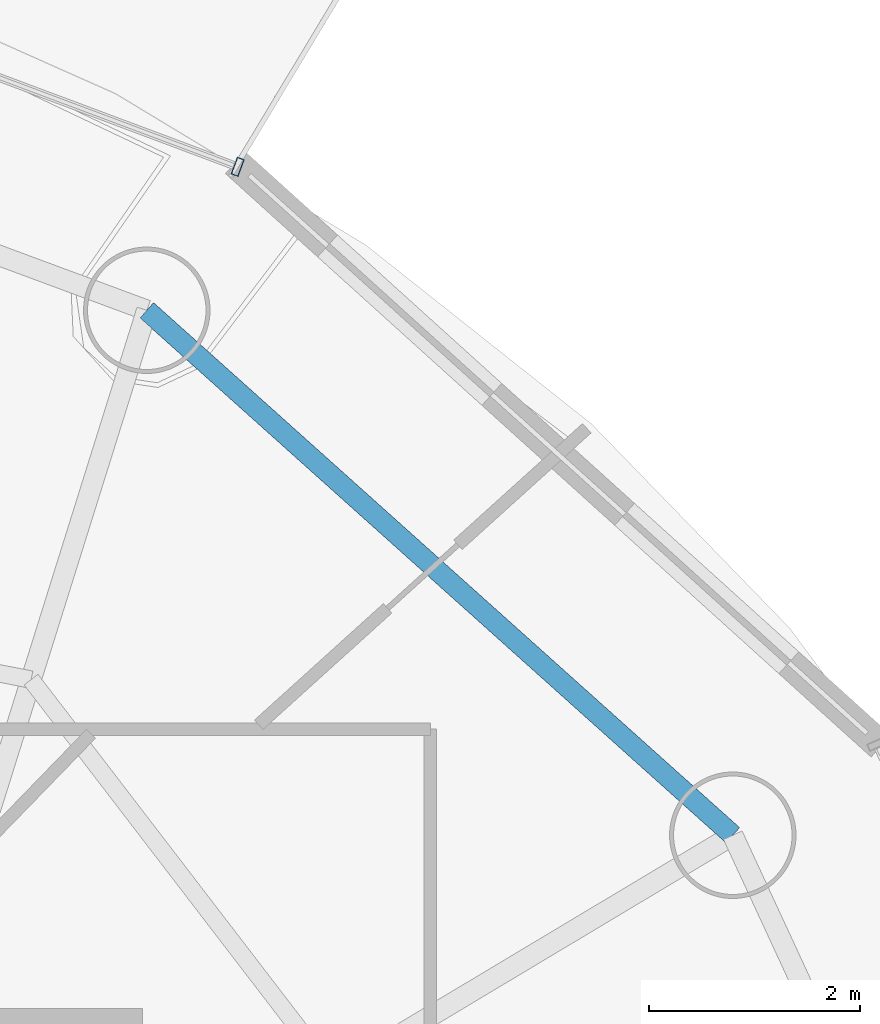
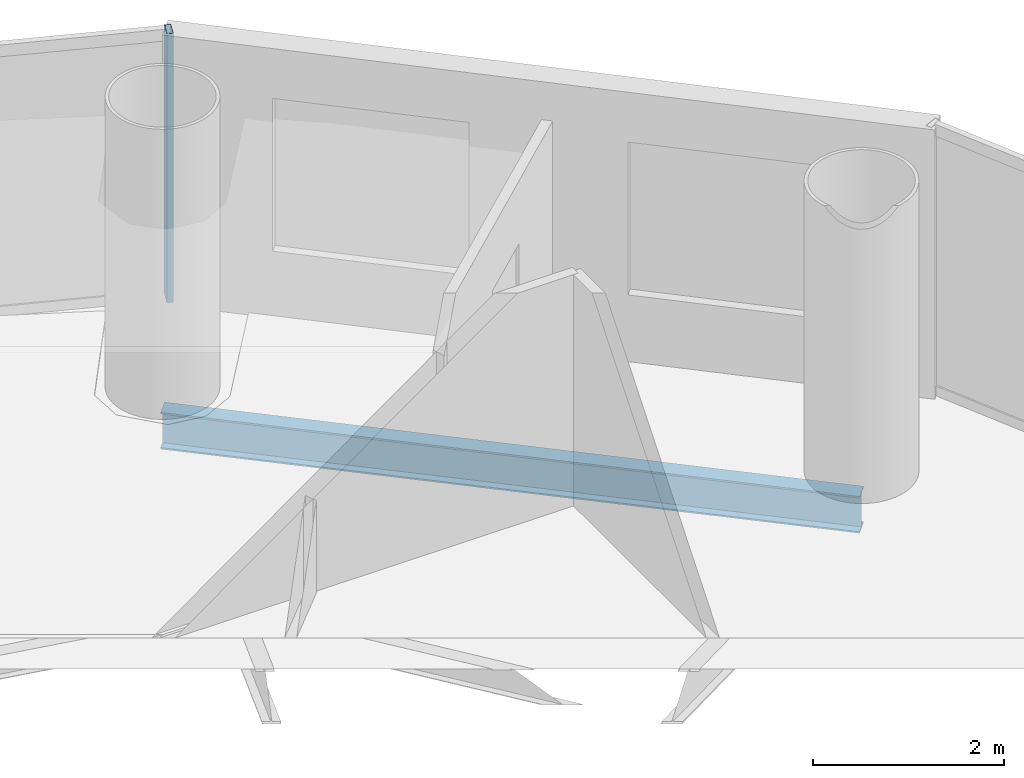
# One storey, part 18 of 26: 1 beam, 1 member, 1 element without a shape of its own.
"""IFC4 building model written with IfcOpenShell, lengths in metres."""

import ifcopenshell
import ifcopenshell.guid

model = None  # the IFC model being written
_history = None  # IfcOwnerHistory: only IFC2X3 demands one
_inside = {}  # id of a spatial element -> (the spatial element, [elements in it])
_under = {}  # id of a project, library or spatial element -> (it, [spatial elements below it])
_declared = {}  # id of a project -> (the project, [libraries it declares])
_typed = {}  # id of a type object -> (the type object, [elements of that type])
_made_of = {}  # id of a material, layer set ... -> (it, [elements and type objects made of it])


def new_model(schema):
    """Start an empty IFC model of exactly this schema.

    Asked for "IFC4X3", IfcOpenShell would pick the latest addendum, in which some entities
    have other attributes; the version numbers below select the first issue.
    IFC2X3 requires an IfcOwnerHistory on every rooted entity: one is made here for all.
    """
    global model, _history
    if schema == "IFC4X3":
        model = ifcopenshell.file(schema_version=(4, 3, 0, 0))
    else:
        model = ifcopenshell.file(schema=schema)
    _inside.clear()
    _under.clear()
    _declared.clear()
    _typed.clear()
    _made_of.clear()
    _history = None
    if model.schema == "IFC2X3":
        org = make("IfcOrganization", Name="unknown")
        user = make(
            "IfcPersonAndOrganization",
            ThePerson=make("IfcPerson", FamilyName="unknown"),
            TheOrganization=org,
        )
        app = make(
            "IfcApplication",
            ApplicationDeveloper=org,
            Version="unknown",
            ApplicationFullName="unknown",
            ApplicationIdentifier="unknown",
        )
        _history = make(
            "IfcOwnerHistory",
            OwningUser=user,
            OwningApplication=app,
            ChangeAction="ADDED",
            CreationDate=0,
        )
    return model


def make(cls, **values):
    """One entity of the class cls with the attributes given. An attribute that is None is left unset."""
    return model.create_entity(
        cls, **{name: value for name, value in values.items() if value is not None}
    )


def rooted(cls, **values):
    """An entity with a GlobalId (a new one), such as an element, a storey or a relation."""
    return make(cls, GlobalId=ifcopenshell.guid.new(), OwnerHistory=_history, **values)


def si_unit(unit_type, name, prefix=None):
    """IfcSIUnit, for example si_unit("LENGTHUNIT", "METRE", prefix="MILLI")."""
    return make("IfcSIUnit", UnitType=unit_type, Prefix=prefix, Name=name)


def assignment(units):
    """IfcUnitAssignment: the units of a project."""
    return None if units is None else make("IfcUnitAssignment", Units=units)


def point(xyz):
    """IfcCartesianPoint."""
    return None if xyz is None else make("IfcCartesianPoint", Coordinates=xyz)


def direction(xyz):
    """IfcDirection."""
    return None if xyz is None else make("IfcDirection", DirectionRatios=xyz)


def frame(location, z_axis=None, x_axis=None):
    """IfcAxis2Placement3D, a coordinate frame: its origin and axes. An axis left out is left unset."""
    return make(
        "IfcAxis2Placement3D",
        Location=point(location),
        Axis=direction(z_axis),
        RefDirection=direction(x_axis),
    )


def frame_2d(location, x_axis=None):
    """IfcAxis2Placement2D, a coordinate frame in the plane: its origin and x axis."""
    return make(
        "IfcAxis2Placement2D", Location=point(location), RefDirection=direction(x_axis)
    )


def origin():
    """The frame at (0, 0, 0) with its axes left unset."""
    return frame((0.0, 0.0, 0.0))


def origin_2d():
    """The frame at (0, 0) in the plane with its x axis left unset."""
    return frame_2d((0.0, 0.0))


def place(relative_to, where):
    """IfcLocalPlacement: puts the frame where relative to a parent placement (None: the world)."""
    return make(
        "IfcLocalPlacement", PlacementRelTo=relative_to, RelativePlacement=where
    )


def context(
    kind, dimensions, precision=None, world=None, true_north=None, identifier=None
):
    """IfcGeometricRepresentationContext, for example the 3D "Model" context."""
    return make(
        "IfcGeometricRepresentationContext",
        ContextIdentifier=identifier,
        ContextType=kind,
        CoordinateSpaceDimension=dimensions,
        Precision=precision,
        WorldCoordinateSystem=world,
        TrueNorth=true_north,
    )


def subcontext(parent, identifier, kind, view, scale=None):
    """IfcGeometricRepresentationSubContext, for example "Body" below "Model"."""
    return make(
        "IfcGeometricRepresentationSubContext",
        ContextIdentifier=identifier,
        ContextType=kind,
        ParentContext=parent,
        TargetScale=scale,
        TargetView=view,
    )


def project(units=None, contexts=None):
    """IfcProject with its units and contexts."""
    return rooted(
        "IfcProject",
        Name="project",
        RepresentationContexts=contexts,
        UnitsInContext=assignment(units),
    )


def spatial(cls, under=None, at=None, **own):
    """A site, building, storey or space (cls), placed at a placement, below another one or the project."""
    s = rooted(cls, ObjectPlacement=at, **own)
    if under is not None:
        _under.setdefault(under.id(), (under, []))[1].append(s)
    return s


def profile(cls, at=None, kind="AREA", **sizes):
    """A parametric profile (cls). Its sizes go by their IFC names, for example OverallWidth=200.0."""
    return make(cls, ProfileType=kind, Position=at, **sizes)


def hollow_rectangle(**sizes):
    """IfcRectangleHollowProfileDef."""
    return profile("IfcRectangleHollowProfileDef", **sizes)


def i_section(**sizes):
    """IfcIShapeProfileDef."""
    return profile("IfcIShapeProfileDef", **sizes)


def extrude(swept, where, along, depth):
    """IfcExtrudedAreaSolid: the profile swept, set in the frame where, extruded along a direction by depth."""
    return make(
        "IfcExtrudedAreaSolid",
        SweptArea=swept,
        Position=where,
        ExtrudedDirection=direction(along),
        Depth=depth,
    )


def shape(context_of_items, identifier, shape_type, items):
    """IfcShapeRepresentation: the items that make up one representation, for example the "Body"."""
    return make(
        "IfcShapeRepresentation",
        ContextOfItems=context_of_items,
        RepresentationIdentifier=identifier,
        RepresentationType=shape_type,
        Items=items,
    )


def source(mapping_origin, context_of_items, identifier, shape_type, items):
    """IfcRepresentationMap: a shape defined once, which mapped items show again and again."""
    return make(
        "IfcRepresentationMap",
        MappingOrigin=mapping_origin,
        MappedRepresentation=shape(context_of_items, identifier, shape_type, items),
    )


def transform(
    local_origin,
    x_axis=None,
    y_axis=None,
    z_axis=None,
    scale=None,
    scale2=None,
    scale3=None,
    uniform=True,
):
    """IfcCartesianTransformationOperator3D, or its non-uniform kind. x_axis, y_axis, z_axis: its Axis1, 2, 3."""
    if uniform:
        return make(
            "IfcCartesianTransformationOperator3D",
            Axis1=direction(x_axis),
            Axis2=direction(y_axis),
            LocalOrigin=point(local_origin),
            Scale=scale,
            Axis3=direction(z_axis),
        )
    return make(
        "IfcCartesianTransformationOperator3DnonUniform",
        Axis1=direction(x_axis),
        Axis2=direction(y_axis),
        LocalOrigin=point(local_origin),
        Scale=scale,
        Axis3=direction(z_axis),
        Scale2=scale2,
        Scale3=scale3,
    )


def mapped(mapping_source, mapping_target):
    """IfcMappedItem: shows the shape of a source again, moved by a transform."""
    return make(
        "IfcMappedItem", MappingSource=mapping_source, MappingTarget=mapping_target
    )


def material(Name=None, Category=None):
    """IfcMaterial."""
    return make("IfcMaterial", Name=Name, Category=Category)


def material_profile(
    of_material, cross_section, Name=None, Category=None, Priority=None
):
    """IfcMaterialProfile: a cross section and its material."""
    return make(
        "IfcMaterialProfile",
        Name=Name,
        Material=of_material,
        Profile=cross_section,
        Priority=Priority,
        Category=Category,
    )


def profile_set(profiles, Name=None, composite=None):
    """IfcMaterialProfileSet."""
    return make(
        "IfcMaterialProfileSet",
        Name=Name,
        MaterialProfiles=profiles,
        CompositeProfile=composite,
    )


def made_of(thing, what):
    """Note that an element or type object is made of a material, layer set ...; save() writes the relation."""
    if what is not None:
        _made_of.setdefault(what.id(), (what, []))[1].append(thing)
    return thing


def type_object(cls, material=None, **own):
    """A type object (cls), such as IfcWallType, which elements share."""
    return made_of(rooted(cls, **own), material)


def element(
    cls,
    number,
    at=None,
    inside=None,
    cuts=None,
    type_object=None,
    material=None,
    context=None,
    identifier="Body",
    shape_type=None,
    held_by="IfcProductDefinitionShape",
    body=None,
    shapes=None,
    **own,
):
    """One element of the class cls, such as IfcWall. Its Tag is "e" and its number.

    at: its placement. inside: the storey or other place that contains it. cuts: it is an
    opening in that element (IfcRelVoidsElement). A single representation is given by context,
    identifier, shape_type and body (its items); several are given by shapes. held_by: the class
    of the entity that holds the representations. save() writes the other relations.
    """
    e = rooted(cls, Tag="e%d" % number, ObjectPlacement=at, **own)
    if body is not None:
        shapes = [shape(context, identifier, shape_type, body)]
    if shapes is not None:
        e.Representation = make(held_by, Representations=shapes)
    if inside is not None:
        _inside.setdefault(inside.id(), (inside, []))[1].append(e)
    if cuts is not None:
        rooted(
            "IfcRelVoidsElement", RelatingBuildingElement=cuts, RelatedOpeningElement=e
        )
    if type_object is not None:
        _typed.setdefault(type_object.id(), (type_object, []))[1].append(e)
    return made_of(e, material)


def aggregate(whole, parts):
    """IfcRelAggregates: a whole, such as a stair, and the parts it consists of."""
    return rooted("IfcRelAggregates", RelatingObject=whole, RelatedObjects=parts)


def save(model, path):
    """Write the relations noted so far, then the file.

    IfcRelAggregates (storeys below a building ...), IfcRelContainedInSpatialStructure (elements
    in a storey), IfcRelDefinesByType, IfcRelAssociatesMaterial and IfcRelDeclares: one each for
    every whole, place, type object, material and project.
    """
    for whole, parts in _under.values():
        aggregate(whole, parts)
    for where, things in _inside.values():
        rooted(
            "IfcRelContainedInSpatialStructure",
            RelatedElements=things,
            RelatingStructure=where,
        )
    for kind, things in _typed.values():
        rooted("IfcRelDefinesByType", RelatedObjects=things, RelatingType=kind)
    for what, things in _made_of.values():
        rooted("IfcRelAssociatesMaterial", RelatedObjects=things, RelatingMaterial=what)
    for by, libraries in _declared.values():
        rooted("IfcRelDeclares", RelatingContext=by, RelatedDefinitions=libraries)
    model.write(path)


model = new_model("IFC4")

# Units and contexts
model_context = context("Model", 3, precision=1e-05, world=origin(), true_north=direction((-0.2419218956, 0.970295726276)))
body_context = subcontext(model_context, "Body", "Model", "MODEL_VIEW")
ifc_project = project(units=[si_unit("LENGTHUNIT", "METRE"), si_unit("AREAUNIT", "SQUARE_METRE"), si_unit("VOLUMEUNIT", "CUBIC_METRE"), si_unit("PLANEANGLEUNIT", "RADIAN"), si_unit("MASSUNIT", "GRAM", prefix="KILO")], contexts=[model_context])

# Site, building, storey
site_placement = place(None, origin())
site = spatial("IfcSite", under=ifc_project, at=site_placement, CompositionType="ELEMENT")
building_placement = place(site_placement, origin())
building = spatial("IfcBuilding", under=site, at=building_placement, Name="Cobrevalo Terracotta Tower", CompositionType="ELEMENT")
storey_placement = place(building_placement, frame((0.0, 0.0, 231.89990234375)))
storey = spatial("IfcBuildingStorey", under=building, at=storey_placement, Name="L61", CompositionType="ELEMENT", Elevation=231.89990234375)

# Beam
ifc_material_1 = material(Name="Steel S355", Category="steel")
ifc_material_profile_1 = material_profile(ifc_material_1, i_section(OverallWidth=0.194091796875, OverallDepth=0.468994140625, WebThickness=0.011474609375, FlangeThickness=0.0205078125, at=origin_2d()), Name="W 460x106")
ifc_profile_set_1 = profile_set([ifc_material_profile_1], Name="Steel S355")
beam_type = type_object("IfcBeamType", Name="Structural Spandrel W 460x106 (Steel S355)", PredefinedType="SPANDREL", material=ifc_profile_set_1)
beam_placement = place(storey_placement, frame((54.754150390625, 36.828125, -0.49951171875), z_axis=(-0.744851930997, 0.667229796165, 0.0), x_axis=(-0.667229796165, -0.744851930997, 0.0)))
element("IfcBeam", 1, at=beam_placement, inside=storey, type_object=beam_type, Name="L61 perimeter ring spandrel 02", PredefinedType="SPANDREL", context=body_context, shape_type="SweptSolid", body=[
    extrude(i_section(OverallWidth=0.194091796875, OverallDepth=0.468994140625, WebThickness=0.011474609375, FlangeThickness=0.0205078125, at=origin_2d()), origin(), (0.0, 0.0, 1.0), 7.463623046875),
])

# Curtain wall, member
ifc_material_2 = material(Name="Anodized aluminium", Category="aluminium")
curtain_wall_type = type_object("IfcCurtainWallType", Name="Mid-tower high-wind unitised curtain wall CW-U2", PredefinedType="NOTDEFINED", material=ifc_material_2)
curtain_wall_placement = place(storey_placement, origin())
curtain_wall = element("IfcCurtainWall", 2, at=curtain_wall_placement, inside=storey, type_object=curtain_wall_type, Name="L61 curtain wall CW-L61-S03", PredefinedType="NOTDEFINED")
ifc_material_profile_2 = material_profile(ifc_material_2, hollow_rectangle(XDim=0.070068359375, YDim=0.169921875, WallThickness=0.00439453125, at=origin_2d()), Name="CWM 70x170")
ifc_profile_set_2 = profile_set([ifc_material_profile_2], Name="Anodized aluminium")
member_type = type_object("IfcMemberType", Name="Upper tower unitised mullion 70x170", PredefinedType="MULLION", material=ifc_profile_set_2)
shared_shape = source(origin(), body_context, "Body", "SweptSolid", [
    extrude(hollow_rectangle(XDim=0.070068359375, YDim=0.169921875, WallThickness=0.00439453125, at=origin_2d()), origin(), (0.0, 0.0, 1.0), 3.43505859375),
])
member_placement = place(storey_placement, frame((50.057373046875, 43.1689453125, 0.0), z_axis=(0.0, 0.0, 1.0), x_axis=(-0.936556004584, 0.350517974259, 0.0)))
member = element("IfcMember", 3, at=member_placement, type_object=member_type, Name="CW-L61-S03 vertical mullion 01", PredefinedType="MULLION", context=body_context, shape_type="MappedRepresentation", body=[
    mapped(shared_shape, transform((0.0, 0.0, 0.0), scale=1.0)),
])
aggregate(curtain_wall, [member])

save(model, "model.ifc")
